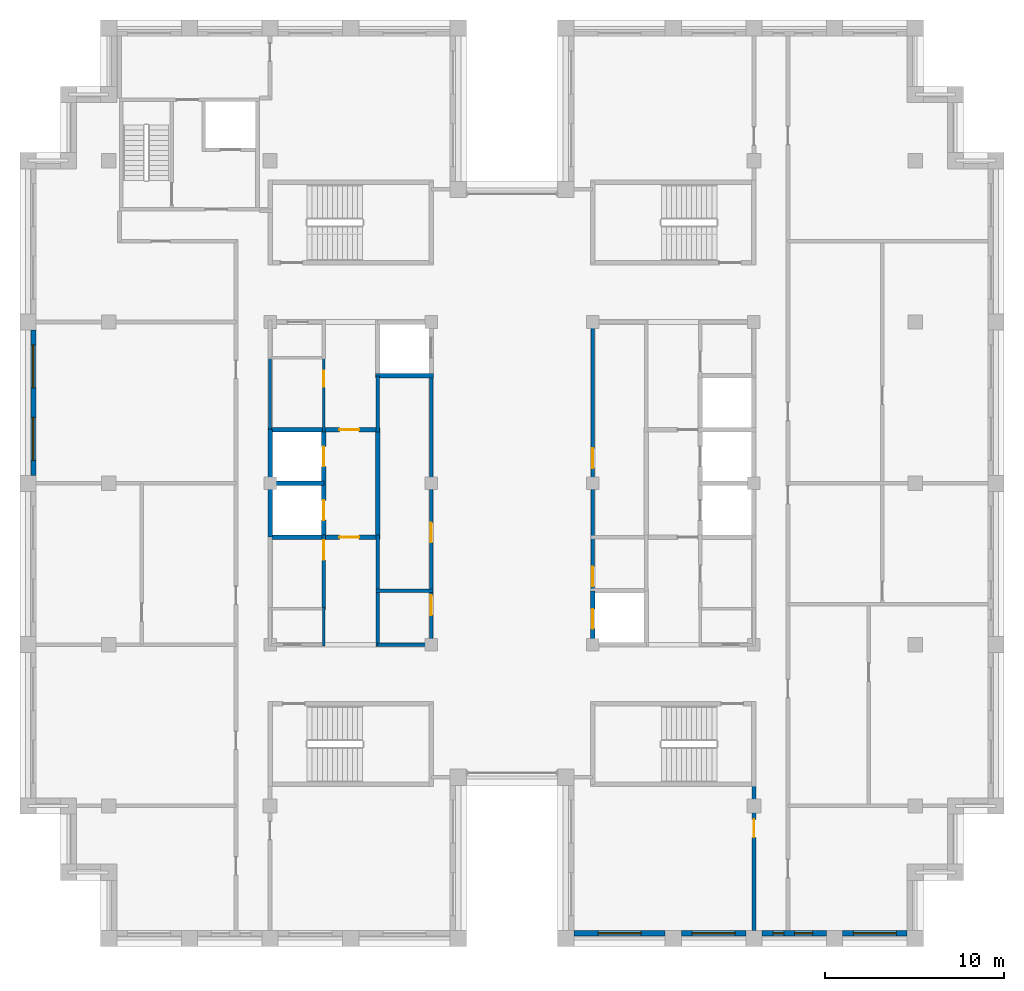
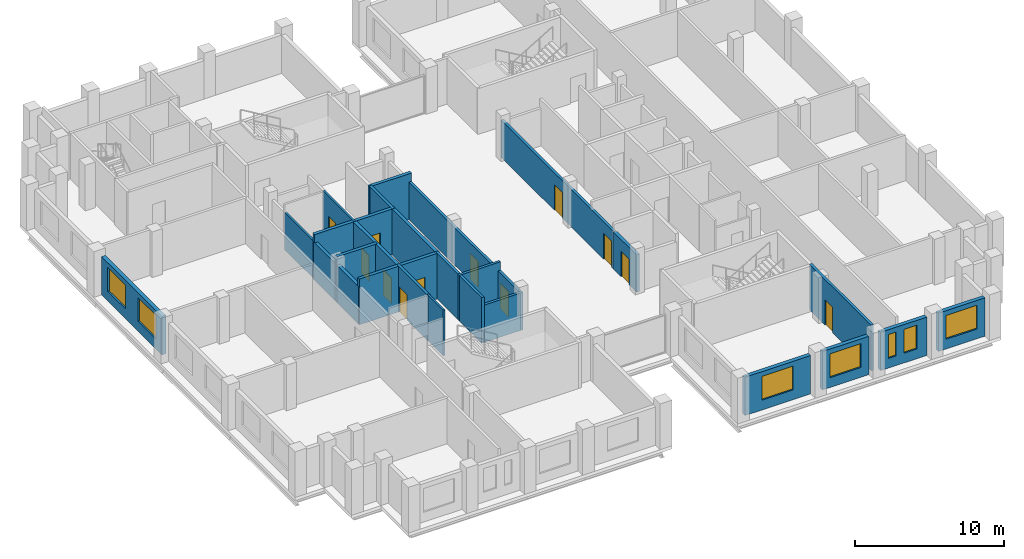
# One storey, part 7 of 13: 24 walls, 12 doors, 7 windows, 19 openings.
"""IFC4 building model written with IfcOpenShell, lengths in metres."""

from ifc_helpers import new_model, si_unit, direction, frame, frame_2d, origin, place, context, subcontext, project, spatial, rectangle, extrude, material, layer, layer_set, type_object, element, fill, save


model = new_model("IFC4")

# Units and contexts
model_context = context("Model", 3, precision=1e-05, world=origin(), true_north=direction((0.0, 1.0)))
body_context = subcontext(model_context, "Body", "Model", "MODEL_VIEW")
ifc_project = project(units=[si_unit("LENGTHUNIT", "METRE"), si_unit("AREAUNIT", "SQUARE_METRE"), si_unit("VOLUMEUNIT", "CUBIC_METRE"), si_unit("PLANEANGLEUNIT", "RADIAN"), si_unit("MASSUNIT", "GRAM", prefix="KILO")], contexts=[model_context])

# Site, building, storey
site_placement = place(None, origin())
site = spatial("IfcSite", under=ifc_project, at=site_placement, CompositionType="ELEMENT")
building_placement = place(site_placement, origin())
building = spatial("IfcBuilding", under=site, at=building_placement, Name="Corbelhall Arena Tower", CompositionType="ELEMENT")
storey_placement = place(building_placement, frame((0.0, 0.0, 330.0)))
storey = spatial("IfcBuildingStorey", under=building, at=storey_placement, Name="L72", CompositionType="ELEMENT", Elevation=330.0)

# Wall, openings, windows
ifc_material_1 = material(Name="Precast concrete C40/50 with granite facing", Category="masonry")
ifc_layer_1 = layer(ifc_material_1, 0.300048828125)
ifc_layer_set_1 = layer_set([ifc_layer_1], Name="EV-IW1 Infill panel 300")
wall_type_1 = type_object("IfcWallType", Name="EV-IW1 Infill panel 300", PredefinedType="SOLIDWALL", material=ifc_layer_set_1)
wall_1_placement = place(storey_placement, frame((-26.699951171875, 8.550048828125, 0.0), z_axis=(0.0, 0.0, 1.0), x_axis=(0.0, -1.0, 0.0)))
wall_1 = element("IfcWall", 1, at=wall_1_placement, inside=storey, type_object=wall_type_1, Name="Infill panel IW1", PredefinedType="SOLIDWALL", context=body_context, shape_type="SweptSolid", body=[
    extrude(rectangle(XDim=8.10009765625, YDim=0.300048828125, at=frame_2d((4.050048828125, 0.0))), origin(), (0.0, 0.0, 1.0), 3.139892578125),
])
opening_1_placement = place(wall_1_placement, frame((0.824951171875, 0.0, 0.800048828125)))
opening_1 = element("IfcOpeningElement", 2, at=opening_1_placement, cuts=wall_1, Name="Opening WN1", PredefinedType="OPENING", context=body_context, shape_type="SweptSolid", body=[
    extrude(rectangle(XDim=2.39990234375, YDim=1.949951171875, at=frame_2d((1.199951171875, 0.97509765625))), frame((0.0, 0.14990234375, 0.0), z_axis=(0.0, -1.0, 0.0), x_axis=(1.0, 0.0, 0.0)), (0.0, 0.0, 1.0), 0.300048828125),
])
opening_2_placement = place(wall_1_placement, frame((4.875, 0.0, 0.800048828125)))
opening_2 = element("IfcOpeningElement", 3, at=opening_2_placement, cuts=wall_1, Name="Opening WN1", PredefinedType="OPENING", context=body_context, shape_type="SweptSolid", body=[
    extrude(rectangle(XDim=2.39990234375, YDim=1.949951171875, at=frame_2d((1.199951171875, 0.97509765625))), frame((0.0, 0.14990234375, 0.0), z_axis=(0.0, -1.0, 0.0), x_axis=(1.0, 0.0, 0.0)), (0.0, 0.0, 1.0), 0.300048828125),
])
ifc_material_2 = material(Name="Aluminium black anodised", Category="aluminium")
window_type_1 = type_object("IfcWindowType", Name="EV-WN1 Office window", PartitioningType="SINGLE_PANEL", PredefinedType="WINDOW", material=ifc_material_2)
window_1_placement = place(opening_1_placement, origin())
window_1 = element("IfcWindow", 4, at=window_1_placement, inside=storey, type_object=window_type_1, Name="Window WN1", OverallHeight=1.949951171875, OverallWidth=2.39990234375, PartitioningType="SINGLE_PANEL", PredefinedType="WINDOW", context=body_context, shape_type="SweptSolid", body=[
    extrude(rectangle(XDim=2.39990234375, YDim=1.949951171875, at=frame_2d((1.199951171875, 0.97509765625))), frame((0.0, 0.030029296875, 0.0), z_axis=(0.0, -1.0, 0.0), x_axis=(1.0, 0.0, 0.0)), (0.0, 0.0, 1.0), 0.06005859375),
])
fill(opening_1, window_1)
window_2_placement = place(opening_2_placement, origin())
window_2 = element("IfcWindow", 5, at=window_2_placement, inside=storey, type_object=window_type_1, Name="Window WN1", OverallHeight=1.949951171875, OverallWidth=2.39990234375, PartitioningType="SINGLE_PANEL", PredefinedType="WINDOW", context=body_context, shape_type="SweptSolid", body=[
    extrude(rectangle(XDim=2.39990234375, YDim=1.949951171875, at=frame_2d((1.199951171875, 0.97509765625))), frame((0.0, 0.030029296875, 0.0), z_axis=(0.0, -1.0, 0.0), x_axis=(1.0, 0.0, 0.0)), (0.0, 0.0, 1.0), 0.06005859375),
])
fill(opening_2, window_2)

# Wall, opening, window
wall_2_placement = place(storey_placement, frame((3.449951171875, -25.10009765625, 0.0), z_axis=(0.0, 0.0, 1.0), x_axis=(1.0, 0.0, 0.0)))
wall_2 = element("IfcWall", 6, at=wall_2_placement, inside=storey, type_object=wall_type_1, Name="Infill panel IW1", PredefinedType="SOLIDWALL", context=body_context, shape_type="SweptSolid", body=[
    extrude(rectangle(XDim=5.10009765625, YDim=0.300048828125, at=frame_2d((2.550048828125, 0.0))), origin(), (0.0, 0.0, 1.0), 3.139892578125),
])
opening_3_placement = place(wall_2_placement, frame((1.35009765625, 0.0, 0.800048828125)))
opening_3 = element("IfcOpeningElement", 7, at=opening_3_placement, cuts=wall_2, Name="Opening WN1", PredefinedType="OPENING", context=body_context, shape_type="SweptSolid", body=[
    extrude(rectangle(XDim=2.39990234375, YDim=1.949951171875, at=frame_2d((1.199951171875, 0.97509765625))), frame((0.0, 0.14990234375, 0.0), z_axis=(0.0, -1.0, 0.0), x_axis=(1.0, 0.0, 0.0)), (0.0, 0.0, 1.0), 0.300048828125),
])
window_3_placement = place(opening_3_placement, origin())
window_3 = element("IfcWindow", 8, at=window_3_placement, inside=storey, type_object=window_type_1, Name="Window WN1", OverallHeight=1.949951171875, OverallWidth=2.39990234375, PartitioningType="SINGLE_PANEL", PredefinedType="WINDOW", context=body_context, shape_type="SweptSolid", body=[
    extrude(rectangle(XDim=2.39990234375, YDim=1.949951171875, at=frame_2d((1.199951171875, 0.97509765625))), frame((0.0, 0.030029296875, 0.0), z_axis=(0.0, -1.0, 0.0), x_axis=(1.0, 0.0, 0.0)), (0.0, 0.0, 1.0), 0.06005859375),
])
fill(opening_3, window_3)

wall_3_placement = place(storey_placement, frame((9.449951171875, -25.10009765625, 0.0), z_axis=(0.0, 0.0, 1.0), x_axis=(1.0, 0.0, 0.0)))
wall_3 = element("IfcWall", 9, at=wall_3_placement, inside=storey, type_object=wall_type_1, Name="Infill panel IW1", PredefinedType="SOLIDWALL", context=body_context, shape_type="SweptSolid", body=[
    extrude(rectangle(XDim=3.60009765625, YDim=0.300048828125, at=frame_2d((1.800048828125, 0.0))), origin(), (0.0, 0.0, 1.0), 3.139892578125),
])
opening_4_placement = place(wall_3_placement, frame((0.60009765625, 0.0, 0.800048828125)))
opening_4 = element("IfcOpeningElement", 10, at=opening_4_placement, cuts=wall_3, Name="Opening WN1", PredefinedType="OPENING", context=body_context, shape_type="SweptSolid", body=[
    extrude(rectangle(XDim=2.39990234375, YDim=1.949951171875, at=frame_2d((1.199951171875, 0.97509765625))), frame((0.0, 0.14990234375, 0.0), z_axis=(0.0, -1.0, 0.0), x_axis=(1.0, 0.0, 0.0)), (0.0, 0.0, 1.0), 0.300048828125),
])
window_4_placement = place(opening_4_placement, origin())
window_4 = element("IfcWindow", 11, at=window_4_placement, inside=storey, type_object=window_type_1, Name="Window WN1", OverallHeight=1.949951171875, OverallWidth=2.39990234375, PartitioningType="SINGLE_PANEL", PredefinedType="WINDOW", context=body_context, shape_type="SweptSolid", body=[
    extrude(rectangle(XDim=2.39990234375, YDim=1.949951171875, at=frame_2d((1.199951171875, 0.97509765625))), frame((0.0, 0.030029296875, 0.0), z_axis=(0.0, -1.0, 0.0), x_axis=(1.0, 0.0, 0.0)), (0.0, 0.0, 1.0), 0.06005859375),
])
fill(opening_4, window_4)

# Wall, openings, windows
wall_4_placement = place(storey_placement, frame((13.949951171875, -25.10009765625, 0.0), z_axis=(0.0, 0.0, 1.0), x_axis=(1.0, 0.0, 0.0)))
wall_4 = element("IfcWall", 12, at=wall_4_placement, inside=storey, type_object=wall_type_1, Name="Infill panel IW1", PredefinedType="SOLIDWALL", context=body_context, shape_type="SweptSolid", body=[
    extrude(rectangle(XDim=3.60009765625, YDim=0.300048828125, at=frame_2d((1.800048828125, 0.0))), origin(), (0.0, 0.0, 1.0), 3.139892578125),
])
opening_5_placement = place(wall_4_placement, frame((0.625, 0.0, 0.800048828125)))
opening_5 = element("IfcOpeningElement", 13, at=opening_5_placement, cuts=wall_4, Name="Opening WN5", PredefinedType="OPENING", context=body_context, shape_type="SweptSolid", body=[
    extrude(rectangle(XDim=0.60009765625, YDim=1.949951171875, at=frame_2d((0.300048828125, 0.97509765625))), frame((0.0, 0.14990234375, 0.0), z_axis=(0.0, -1.0, 0.0), x_axis=(1.0, 0.0, 0.0)), (0.0, 0.0, 1.0), 0.300048828125),
])
opening_6_placement = place(wall_4_placement, frame((1.824951171875, 0.0, 0.800048828125)))
opening_6 = element("IfcOpeningElement", 14, at=opening_6_placement, cuts=wall_4, Name="Opening WN6", PredefinedType="OPENING", context=body_context, shape_type="SweptSolid", body=[
    extrude(rectangle(XDim=1.0, YDim=1.949951171875, at=frame_2d((0.5, 0.97509765625))), frame((0.0, 0.14990234375, 0.0), z_axis=(0.0, -1.0, 0.0), x_axis=(1.0, 0.0, 0.0)), (0.0, 0.0, 1.0), 0.300048828125),
])
window_type_2 = type_object("IfcWindowType", Name="EV-WN5 Office window 600", PartitioningType="SINGLE_PANEL", PredefinedType="WINDOW", material=ifc_material_2)
window_5_placement = place(opening_5_placement, origin())
window_5 = element("IfcWindow", 15, at=window_5_placement, inside=storey, type_object=window_type_2, Name="Window WN5", OverallHeight=1.949951171875, OverallWidth=0.60009765625, PartitioningType="SINGLE_PANEL", PredefinedType="WINDOW", context=body_context, shape_type="SweptSolid", body=[
    extrude(rectangle(XDim=0.60009765625, YDim=1.949951171875, at=frame_2d((0.300048828125, 0.97509765625))), frame((0.0, 0.030029296875, 0.0), z_axis=(0.0, -1.0, 0.0), x_axis=(1.0, 0.0, 0.0)), (0.0, 0.0, 1.0), 0.06005859375),
])
fill(opening_5, window_5)
window_type_3 = type_object("IfcWindowType", Name="EV-WN6 Office window 1000", PartitioningType="SINGLE_PANEL", PredefinedType="WINDOW", material=ifc_material_2)
window_6_placement = place(opening_6_placement, origin())
window_6 = element("IfcWindow", 16, at=window_6_placement, inside=storey, type_object=window_type_3, Name="Window WN6", OverallHeight=1.949951171875, OverallWidth=1.0, PartitioningType="SINGLE_PANEL", PredefinedType="WINDOW", context=body_context, shape_type="SweptSolid", body=[
    extrude(rectangle(XDim=1.0, YDim=1.949951171875, at=frame_2d((0.5, 0.97509765625))), frame((0.0, 0.030029296875, 0.0), z_axis=(0.0, -1.0, 0.0), x_axis=(1.0, 0.0, 0.0)), (0.0, 0.0, 1.0), 0.06005859375),
])
fill(opening_6, window_6)

# Wall, opening, window
wall_5_placement = place(storey_placement, frame((18.449951171875, -25.10009765625, 0.0), z_axis=(0.0, 0.0, 1.0), x_axis=(1.0, 0.0, 0.0)))
wall_5 = element("IfcWall", 17, at=wall_5_placement, inside=storey, type_object=wall_type_1, Name="Infill panel IW1", PredefinedType="SOLIDWALL", context=body_context, shape_type="SweptSolid", body=[
    extrude(rectangle(XDim=3.60009765625, YDim=0.300048828125, at=frame_2d((1.800048828125, 0.0))), origin(), (0.0, 0.0, 1.0), 3.139892578125),
])
opening_7_placement = place(wall_5_placement, frame((0.60009765625, 0.0, 0.800048828125)))
opening_7 = element("IfcOpeningElement", 18, at=opening_7_placement, cuts=wall_5, Name="Opening WN1", PredefinedType="OPENING", context=body_context, shape_type="SweptSolid", body=[
    extrude(rectangle(XDim=2.39990234375, YDim=1.949951171875, at=frame_2d((1.199951171875, 0.97509765625))), frame((0.0, 0.14990234375, 0.0), z_axis=(0.0, -1.0, 0.0), x_axis=(1.0, 0.0, 0.0)), (0.0, 0.0, 1.0), 0.300048828125),
])
window_7_placement = place(opening_7_placement, origin())
window_7 = element("IfcWindow", 19, at=window_7_placement, inside=storey, type_object=window_type_1, Name="Window WN1", OverallHeight=1.949951171875, OverallWidth=2.39990234375, PartitioningType="SINGLE_PANEL", PredefinedType="WINDOW", context=body_context, shape_type="SweptSolid", body=[
    extrude(rectangle(XDim=2.39990234375, YDim=1.949951171875, at=frame_2d((1.199951171875, 0.97509765625))), frame((0.0, 0.030029296875, 0.0), z_axis=(0.0, -1.0, 0.0), x_axis=(1.0, 0.0, 0.0)), (0.0, 0.0, 1.0), 0.06005859375),
])
fill(opening_7, window_7)

# Wall, opening, door
ifc_material_3 = material(Name="Gypsum board on steel stud, acoustic", Category="steel")
ifc_layer_2 = layer(ifc_material_3, 0.199951171875)
ifc_layer_set_2 = layer_set([ifc_layer_2], Name="IN-W-DM200")
wall_type_2 = type_object("IfcWallType", Name="IN-W-DM200", PredefinedType="PARTITIONING", material=ifc_layer_set_2)
wall_6_placement = place(storey_placement, frame((13.5, -24.949951171875, 0.0), z_axis=(0.0, 0.0, 1.0), x_axis=(0.0, 1.0, 0.0)))
wall_6 = element("IfcWall", 20, at=wall_6_placement, inside=storey, type_object=wall_type_2, Name="Partition 018", PredefinedType="PARTITIONING", context=body_context, shape_type="SweptSolid", body=[
    extrude(rectangle(XDim=8.27490234375, YDim=0.199951171875, at=frame_2d((4.137451171875, 0.0))), origin(), (0.0, 0.0, 1.0), 3.739990234375),
])
opening_8_placement = place(wall_6_placement, frame((5.199951171875, 0.0, 0.0)))
opening_8 = element("IfcOpeningElement", 21, at=opening_8_placement, cuts=wall_6, Name="Opening 23022", PredefinedType="OPENING", context=body_context, shape_type="SweptSolid", body=[
    extrude(rectangle(XDim=1.0, YDim=2.10009765625, at=frame_2d((0.5, 1.050048828125))), frame((0.0, 0.10009765625, 0.0), z_axis=(0.0, -1.0, 0.0), x_axis=(1.0, 0.0, 0.0)), (0.0, 0.0, 1.0), 0.199951171875),
])
ifc_material_4 = material(Name="Steel door set", Category="steel")
door_type_1 = type_object("IfcDoorType", Name="IN-D-SW100", OperationType="NOTDEFINED", PredefinedType="DOOR", material=ifc_material_4)
door_1_placement = place(opening_8_placement, origin())
door_1 = element("IfcDoor", 22, at=door_1_placement, inside=storey, type_object=door_type_1, Name="Door 022", OperationType="SINGLE_SWING_LEFT", OverallHeight=2.10009765625, OverallWidth=1.0, PredefinedType="DOOR", context=body_context, shape_type="SweptSolid", body=[
    extrude(rectangle(XDim=1.0, YDim=2.10009765625, at=frame_2d((0.5, 1.050048828125))), frame((0.0, 0.02490234375, 0.0), z_axis=(0.0, -1.0, 0.0), x_axis=(1.0, 0.0, 0.0)), (0.0, 0.0, 1.0), 0.050048828125),
])
fill(opening_8, door_1)

ifc_material_5 = material(Name="Concrete block wall", Category="concrete")
ifc_layer_3 = layer(ifc_material_5, 0.199951171875)
ifc_layer_set_3 = layer_set([ifc_layer_3], Name="IN-W-RS200")
wall_type_3 = type_object("IfcWallType", Name="IN-W-RS200", PredefinedType="SOLIDWALL", material=ifc_layer_set_3)
wall_7_placement = place(storey_placement, frame((-10.5, -7.074951171875, 0.0), z_axis=(0.0, 0.0, 1.0), x_axis=(0.0, 1.0, 0.0)))
wall_7 = element("IfcWall", 23, at=wall_7_placement, inside=storey, type_object=wall_type_3, Name="Partition 030", PredefinedType="SOLIDWALL", context=body_context, shape_type="SweptSolid", body=[
    extrude(rectangle(XDim=4.199951171875, YDim=0.199951171875, at=frame_2d((2.10009765625, 0.0))), origin(), (0.0, 0.0, 1.0), 3.739990234375),
])
opening_9_placement = place(wall_7_placement, frame((2.800048828125, 0.0, 0.0)))
opening_9 = element("IfcOpeningElement", 24, at=opening_9_placement, cuts=wall_7, Name="Opening 23006", PredefinedType="OPENING", context=body_context, shape_type="SweptSolid", body=[
    extrude(rectangle(XDim=1.10009765625, YDim=2.10009765625, at=frame_2d((0.550048828125, 1.050048828125))), frame((0.0, 0.10009765625, 0.0), z_axis=(0.0, -1.0, 0.0), x_axis=(1.0, 0.0, 0.0)), (0.0, 0.0, 1.0), 0.199951171875),
])
door_type_2 = type_object("IfcDoorType", Name="IN-D-FD110", OperationType="NOTDEFINED", PredefinedType="DOOR", material=ifc_material_4)
door_2_placement = place(opening_9_placement, origin())
door_2 = element("IfcDoor", 25, at=door_2_placement, inside=storey, type_object=door_type_2, Name="Door 006", OperationType="SINGLE_SWING_LEFT", OverallHeight=2.10009765625, OverallWidth=1.10009765625, PredefinedType="DOOR", context=body_context, shape_type="SweptSolid", body=[
    extrude(rectangle(XDim=1.10009765625, YDim=2.10009765625, at=frame_2d((0.550048828125, 1.050048828125))), frame((0.0, 0.02490234375, 0.0), z_axis=(0.0, -1.0, 0.0), x_axis=(1.0, 0.0, 0.0)), (0.0, 0.0, 1.0), 0.050048828125),
])
fill(opening_9, door_2)

# Walls
wall_8_placement = place(storey_placement, frame((-7.60009765625, -6.0, 0.0), z_axis=(0.0, 0.0, 1.0), x_axis=(1.0, 0.0, 0.0)))
element("IfcWall", 26, at=wall_8_placement, inside=storey, type_object=wall_type_3, Name="Partition 032", PredefinedType="SOLIDWALL", context=body_context, shape_type="SweptSolid", body=[
    extrude(rectangle(XDim=3.2001953125, YDim=0.199951171875, at=frame_2d((1.60009765625, 0.0))), origin(), (0.0, 0.0, 1.0), 3.739990234375),
])
wall_9_placement = place(storey_placement, frame((-7.5, -9.10009765625, 0.0), z_axis=(0.0, 0.0, 1.0), x_axis=(0.0, 1.0, 0.0)))
element("IfcWall", 27, at=wall_9_placement, inside=storey, type_object=wall_type_3, Name="Partition 033", PredefinedType="SOLIDWALL", context=body_context, shape_type="SweptSolid", body=[
    extrude(rectangle(XDim=6.22509765625, YDim=0.199951171875, at=frame_2d((3.112548828125, 0.0))), origin(), (0.0, 0.0, 1.0), 3.739990234375),
])
wall_10_placement = place(storey_placement, frame((-7.5, 2.875, 0.0), z_axis=(0.0, 0.0, 1.0), x_axis=(0.0, 1.0, 0.0)))
element("IfcWall", 28, at=wall_10_placement, inside=storey, type_object=wall_type_3, Name="Partition 034", PredefinedType="SOLIDWALL", context=body_context, shape_type="SweptSolid", body=[
    extrude(rectangle(XDim=3.125, YDim=0.199951171875, at=frame_2d((1.5625, 0.0))), origin(), (0.0, 0.0, 1.0), 3.739990234375),
])
ifc_layer_4 = layer(ifc_material_5, 0.199951171875)
ifc_layer_set_4 = layer_set([ifc_layer_4], Name="IN-W-RS200 under beam 678 mm")
wall_type_4 = type_object("IfcWallType", Name="IN-W-RS200 under beam 678 mm", PredefinedType="SOLIDWALL", material=ifc_layer_set_4)
wall_11_placement = place(storey_placement, frame((-4.5, -9.0, 0.0), z_axis=(0.0, 0.0, 1.0), x_axis=(-1.0, 0.0, 0.0)))
element("IfcWall", 29, at=wall_11_placement, inside=storey, type_object=wall_type_4, Name="Partition 035", PredefinedType="SOLIDWALL", context=body_context, shape_type="SweptSolid", body=[
    extrude(rectangle(XDim=3.0, YDim=0.199951171875, at=frame_2d((1.5, 0.0))), origin(), (0.0, 0.0, 1.0), 3.061767578125),
])

# Wall, openings, doors
wall_12_placement = place(storey_placement, frame((-4.5, 6.0, 0.0), z_axis=(0.0, 0.0, 1.0), x_axis=(0.0, -1.0, 0.0)))
wall_12 = element("IfcWall", 30, at=wall_12_placement, inside=storey, type_object=wall_type_4, Name="Partition 036", PredefinedType="SOLIDWALL", context=body_context, shape_type="SweptSolid", body=[
    extrude(rectangle(XDim=15.10009765625, YDim=0.199951171875, at=frame_2d((7.550048828125, 0.0))), origin(), (0.0, 0.0, 1.0), 3.061767578125),
])
opening_10_placement = place(wall_12_placement, frame((12.25, 0.0, 0.0)))
opening_10 = element("IfcOpeningElement", 31, at=opening_10_placement, cuts=wall_12, Name="Opening 23001", PredefinedType="OPENING", context=body_context, shape_type="SweptSolid", body=[
    extrude(rectangle(XDim=1.10009765625, YDim=2.10009765625, at=frame_2d((0.550048828125, 1.050048828125))), frame((0.0, 0.10009765625, 0.0), z_axis=(0.0, -1.0, 0.0), x_axis=(1.0, 0.0, 0.0)), (0.0, 0.0, 1.0), 0.199951171875),
])
opening_11_placement = place(wall_12_placement, frame((8.199951171875, 0.0, 0.0)))
opening_11 = element("IfcOpeningElement", 32, at=opening_11_placement, cuts=wall_12, Name="Opening 23002", PredefinedType="OPENING", context=body_context, shape_type="SweptSolid", body=[
    extrude(rectangle(XDim=1.10009765625, YDim=2.10009765625, at=frame_2d((0.550048828125, 1.050048828125))), frame((0.0, 0.10009765625, 0.0), z_axis=(0.0, -1.0, 0.0), x_axis=(1.0, 0.0, 0.0)), (0.0, 0.0, 1.0), 0.199951171875),
])
door_3_placement = place(opening_10_placement, origin())
door_3 = element("IfcDoor", 33, at=door_3_placement, inside=storey, type_object=door_type_2, Name="Door 001", OperationType="SINGLE_SWING_RIGHT", OverallHeight=2.10009765625, OverallWidth=1.10009765625, PredefinedType="DOOR", context=body_context, shape_type="SweptSolid", body=[
    extrude(rectangle(XDim=1.10009765625, YDim=2.10009765625, at=frame_2d((0.550048828125, 1.050048828125))), frame((0.0, 0.02490234375, 0.0), z_axis=(0.0, -1.0, 0.0), x_axis=(1.0, 0.0, 0.0)), (0.0, 0.0, 1.0), 0.050048828125),
])
fill(opening_10, door_3)
door_4_placement = place(opening_11_placement, origin())
door_4 = element("IfcDoor", 34, at=door_4_placement, inside=storey, type_object=door_type_2, Name="Door 002", OperationType="SINGLE_SWING_LEFT", OverallHeight=2.10009765625, OverallWidth=1.10009765625, PredefinedType="DOOR", context=body_context, shape_type="SweptSolid", body=[
    extrude(rectangle(XDim=1.10009765625, YDim=2.10009765625, at=frame_2d((0.550048828125, 1.050048828125))), frame((0.0, 0.02490234375, 0.0), z_axis=(0.0, -1.0, 0.0), x_axis=(1.0, 0.0, 0.0)), (0.0, 0.0, 1.0), 0.050048828125),
])
fill(opening_11, door_4)

wall_13_placement = place(storey_placement, frame((4.5, -6.0, 0.0), z_axis=(0.0, 0.0, 1.0), x_axis=(0.0, 1.0, 0.0)))
wall_13 = element("IfcWall", 35, at=wall_13_placement, inside=storey, type_object=wall_type_4, Name="Partition 038", PredefinedType="SOLIDWALL", context=body_context, shape_type="SweptSolid", body=[
    extrude(rectangle(XDim=15.10009765625, YDim=0.199951171875, at=frame_2d((7.550048828125, 0.0))), origin(), (0.0, 0.0, 1.0), 3.061767578125),
])
opening_12_placement = place(wall_13_placement, frame((0.25, 0.0, 0.0)))
opening_12 = element("IfcOpeningElement", 36, at=opening_12_placement, cuts=wall_13, Name="Opening 23009", PredefinedType="OPENING", context=body_context, shape_type="SweptSolid", body=[
    extrude(rectangle(XDim=1.10009765625, YDim=2.10009765625, at=frame_2d((0.550048828125, 1.050048828125))), frame((0.0, 0.10009765625, 0.0), z_axis=(0.0, -1.0, 0.0), x_axis=(1.0, 0.0, 0.0)), (0.0, 0.0, 1.0), 0.199951171875),
])
opening_13_placement = place(wall_13_placement, frame((6.85009765625, 0.0, 0.0)))
opening_13 = element("IfcOpeningElement", 37, at=opening_13_placement, cuts=wall_13, Name="Opening 23010", PredefinedType="OPENING", context=body_context, shape_type="SweptSolid", body=[
    extrude(rectangle(XDim=1.10009765625, YDim=2.10009765625, at=frame_2d((0.550048828125, 1.050048828125))), frame((0.0, 0.10009765625, 0.0), z_axis=(0.0, -1.0, 0.0), x_axis=(1.0, 0.0, 0.0)), (0.0, 0.0, 1.0), 0.199951171875),
])
door_5_placement = place(opening_12_placement, origin())
door_5 = element("IfcDoor", 38, at=door_5_placement, inside=storey, type_object=door_type_2, Name="Door 009", OperationType="SINGLE_SWING_RIGHT", OverallHeight=2.10009765625, OverallWidth=1.10009765625, PredefinedType="DOOR", context=body_context, shape_type="SweptSolid", body=[
    extrude(rectangle(XDim=1.10009765625, YDim=2.10009765625, at=frame_2d((0.550048828125, 1.050048828125))), frame((0.0, 0.02490234375, 0.0), z_axis=(0.0, -1.0, 0.0), x_axis=(1.0, 0.0, 0.0)), (0.0, 0.0, 1.0), 0.050048828125),
])
fill(opening_12, door_5)
door_6_placement = place(opening_13_placement, origin())
door_6 = element("IfcDoor", 39, at=door_6_placement, inside=storey, type_object=door_type_2, Name="Door 010", OperationType="SINGLE_SWING_LEFT", OverallHeight=2.10009765625, OverallWidth=1.10009765625, PredefinedType="DOOR", context=body_context, shape_type="SweptSolid", body=[
    extrude(rectangle(XDim=1.10009765625, YDim=2.10009765625, at=frame_2d((0.550048828125, 1.050048828125))), frame((0.0, 0.02490234375, 0.0), z_axis=(0.0, -1.0, 0.0), x_axis=(1.0, 0.0, 0.0)), (0.0, 0.0, 1.0), 0.050048828125),
])
fill(opening_13, door_6)

# Wall
ifc_material_6 = material(Name="Concrete C40/50", Category="concrete")
ifc_layer_5 = layer(ifc_material_6, 0.25)
ifc_layer_set_5 = layer_set([ifc_layer_5], Name="IN-W-SH250")
wall_type_5 = type_object("IfcWallType", Name="IN-W-SH250", PredefinedType="SOLIDWALL", material=ifc_layer_set_5)
wall_14_placement = place(storey_placement, frame((-13.625, 0.0, 0.0), z_axis=(0.0, 0.0, 1.0), x_axis=(1.0, 0.0, 0.0)))
element("IfcWall", 40, at=wall_14_placement, inside=storey, type_object=wall_type_5, Name="Shaft wall 047", PredefinedType="SOLIDWALL", context=body_context, shape_type="SweptSolid", body=[
    extrude(rectangle(XDim=3.125, YDim=0.25, at=frame_2d((1.5625, 0.0))), origin(), (0.0, 0.0, 1.0), 3.739990234375),
])

# Wall, opening, door
wall_15_placement = place(storey_placement, frame((-13.625, 3.0, 0.0), z_axis=(0.0, 0.0, 1.0), x_axis=(1.0, 0.0, 0.0)))
wall_15 = element("IfcWall", 41, at=wall_15_placement, inside=storey, type_object=wall_type_5, Name="Shaft wall 048", PredefinedType="SOLIDWALL", context=body_context, shape_type="SweptSolid", body=[
    extrude(rectangle(XDim=6.125, YDim=0.25, at=frame_2d((3.0625, 0.0))), origin(), (0.0, 0.0, 1.0), 3.739990234375),
])
opening_14_placement = place(wall_15_placement, frame((4.0, 0.0, 0.0)))
opening_14 = element("IfcOpeningElement", 42, at=opening_14_placement, cuts=wall_15, Name="Opening 23004", PredefinedType="OPENING", context=body_context, shape_type="SweptSolid", body=[
    extrude(rectangle(XDim=1.10009765625, YDim=2.10009765625, at=frame_2d((0.550048828125, 1.050048828125))), frame((0.0, 0.125, 0.0), z_axis=(0.0, -1.0, 0.0), x_axis=(1.0, 0.0, 0.0)), (0.0, 0.0, 1.0), 0.25),
])
door_7_placement = place(opening_14_placement, origin())
door_7 = element("IfcDoor", 43, at=door_7_placement, inside=storey, type_object=door_type_2, Name="Door 004", OperationType="SINGLE_SWING_LEFT", OverallHeight=2.10009765625, OverallWidth=1.10009765625, PredefinedType="DOOR", context=body_context, shape_type="SweptSolid", body=[
    extrude(rectangle(XDim=1.10009765625, YDim=2.10009765625, at=frame_2d((0.550048828125, 1.050048828125))), frame((0.0, 0.02490234375, 0.0), z_axis=(0.0, -1.0, 0.0), x_axis=(1.0, 0.0, 0.0)), (0.0, 0.0, 1.0), 0.050048828125),
])
fill(opening_14, door_7)

wall_16_placement = place(storey_placement, frame((-13.625, -3.0, 0.0), z_axis=(0.0, 0.0, 1.0), x_axis=(1.0, 0.0, 0.0)))
wall_16 = element("IfcWall", 44, at=wall_16_placement, inside=storey, type_object=wall_type_5, Name="Shaft wall 050", PredefinedType="SOLIDWALL", context=body_context, shape_type="SweptSolid", body=[
    extrude(rectangle(XDim=6.125, YDim=0.25, at=frame_2d((3.0625, 0.0))), origin(), (0.0, 0.0, 1.0), 3.739990234375),
])
opening_15_placement = place(wall_16_placement, frame((4.0, 0.0, 0.0)))
opening_15 = element("IfcOpeningElement", 45, at=opening_15_placement, cuts=wall_16, Name="Opening 23003", PredefinedType="OPENING", context=body_context, shape_type="SweptSolid", body=[
    extrude(rectangle(XDim=1.10009765625, YDim=2.10009765625, at=frame_2d((0.550048828125, 1.050048828125))), frame((0.0, 0.125, 0.0), z_axis=(0.0, -1.0, 0.0), x_axis=(1.0, 0.0, 0.0)), (0.0, 0.0, 1.0), 0.25),
])
door_8_placement = place(opening_15_placement, origin())
door_8 = element("IfcDoor", 46, at=door_8_placement, inside=storey, type_object=door_type_2, Name="Door 003", OperationType="SINGLE_SWING_RIGHT", OverallHeight=2.10009765625, OverallWidth=1.10009765625, PredefinedType="DOOR", context=body_context, shape_type="SweptSolid", body=[
    extrude(rectangle(XDim=1.10009765625, YDim=2.10009765625, at=frame_2d((0.550048828125, 1.050048828125))), frame((0.0, 0.02490234375, 0.0), z_axis=(0.0, -1.0, 0.0), x_axis=(1.0, 0.0, 0.0)), (0.0, 0.0, 1.0), 0.050048828125),
])
fill(opening_15, door_8)

# Wall, openings, doors
wall_17_placement = place(storey_placement, frame((-10.5, -3.125, 0.0), z_axis=(0.0, 0.0, 1.0), x_axis=(0.0, 1.0, 0.0)))
wall_17 = element("IfcWall", 47, at=wall_17_placement, inside=storey, type_object=wall_type_5, Name="Shaft wall 051", PredefinedType="SOLIDWALL", context=body_context, shape_type="SweptSolid", body=[
    extrude(rectangle(XDim=6.25, YDim=0.25, at=frame_2d((3.125, 0.0))), origin(), (0.0, 0.0, 1.0), 3.739990234375),
])
opening_16_placement = place(wall_17_placement, frame((1.074951171875, 0.0, 0.0)))
opening_16 = element("IfcOpeningElement", 48, at=opening_16_placement, cuts=wall_17, Name="Opening LD", PredefinedType="OPENING", context=body_context, shape_type="SweptSolid", body=[
    extrude(rectangle(XDim=1.10009765625, YDim=2.10009765625, at=frame_2d((0.550048828125, 1.050048828125))), frame((0.0, 0.125, 0.0), z_axis=(0.0, -1.0, 0.0), x_axis=(1.0, 0.0, 0.0)), (0.0, 0.0, 1.0), 0.25),
])
opening_17_placement = place(wall_17_placement, frame((4.074951171875, 0.0, 0.0)))
opening_17 = element("IfcOpeningElement", 49, at=opening_17_placement, cuts=wall_17, Name="Opening LD", PredefinedType="OPENING", context=body_context, shape_type="SweptSolid", body=[
    extrude(rectangle(XDim=1.10009765625, YDim=2.10009765625, at=frame_2d((0.550048828125, 1.050048828125))), frame((0.0, 0.125, 0.0), z_axis=(0.0, -1.0, 0.0), x_axis=(1.0, 0.0, 0.0)), (0.0, 0.0, 1.0), 0.25),
])
door_type_3 = type_object("IfcDoorType", Name="IN-D-LD110", OperationType="NOTDEFINED", PredefinedType="DOOR", material=ifc_material_4)
door_9_placement = place(opening_16_placement, origin())
door_9 = element("IfcDoor", 50, at=door_9_placement, inside=storey, type_object=door_type_3, Name="Landing door W3", OperationType="SLIDING_TO_LEFT", OverallHeight=2.10009765625, OverallWidth=1.10009765625, PredefinedType="DOOR", context=body_context, shape_type="SweptSolid", body=[
    extrude(rectangle(XDim=1.10009765625, YDim=2.10009765625, at=frame_2d((0.550048828125, 1.050048828125))), frame((0.0, 0.02490234375, 0.0), z_axis=(0.0, -1.0, 0.0), x_axis=(1.0, 0.0, 0.0)), (0.0, 0.0, 1.0), 0.050048828125),
])
fill(opening_16, door_9)
door_10_placement = place(opening_17_placement, origin())
door_10 = element("IfcDoor", 51, at=door_10_placement, inside=storey, type_object=door_type_3, Name="Landing door W4", OperationType="SLIDING_TO_LEFT", OverallHeight=2.10009765625, OverallWidth=1.10009765625, PredefinedType="DOOR", context=body_context, shape_type="SweptSolid", body=[
    extrude(rectangle(XDim=1.10009765625, YDim=2.10009765625, at=frame_2d((0.550048828125, 1.050048828125))), frame((0.0, 0.02490234375, 0.0), z_axis=(0.0, -1.0, 0.0), x_axis=(1.0, 0.0, 0.0)), (0.0, 0.0, 1.0), 0.050048828125),
])
fill(opening_17, door_10)

# Walls
wall_18_placement = place(storey_placement, frame((-7.625, 6.0, 0.0), z_axis=(0.0, 0.0, 1.0), x_axis=(1.0, 0.0, 0.0)))
element("IfcWall", 52, at=wall_18_placement, inside=storey, type_object=wall_type_5, Name="Shaft wall 052", PredefinedType="SOLIDWALL", context=body_context, shape_type="SweptSolid", body=[
    extrude(rectangle(XDim=3.25, YDim=0.25, at=frame_2d((1.625, 0.0))), origin(), (0.0, 0.0, 1.0), 3.739990234375),
])
wall_19_placement = place(storey_placement, frame((-7.5, -3.125, 0.0), z_axis=(0.0, 0.0, 1.0), x_axis=(0.0, 1.0, 0.0)))
element("IfcWall", 53, at=wall_19_placement, inside=storey, type_object=wall_type_5, Name="Shaft wall 053", PredefinedType="SOLIDWALL", context=body_context, shape_type="SweptSolid", body=[
    extrude(rectangle(XDim=6.25, YDim=0.25, at=frame_2d((3.125, 0.0))), origin(), (0.0, 0.0, 1.0), 3.739990234375),
])
ifc_layer_6 = layer(ifc_material_6, 0.25)
ifc_layer_set_6 = layer_set([ifc_layer_6], Name="IN-W-SH250 under beam 678 mm")
wall_type_6 = type_object("IfcWallType", Name="IN-W-SH250 under beam 678 mm", PredefinedType="SOLIDWALL", material=ifc_layer_set_6)
wall_20_placement = place(storey_placement, frame((-13.5, -3.0, 0.0), z_axis=(0.0, 0.0, 1.0), x_axis=(0.0, 1.0, 0.0)))
element("IfcWall", 54, at=wall_20_placement, inside=storey, type_object=wall_type_6, Name="Shaft wall 049", PredefinedType="SOLIDWALL", context=body_context, shape_type="SweptSolid", body=[
    extrude(rectangle(XDim=6.0, YDim=0.25, at=frame_2d((3.0, 0.0))), origin(), (0.0, 0.0, 1.0), 3.061767578125),
])

# Wall, opening, door
wall_21_placement = place(storey_placement, frame((4.5, -9.125, 0.0), z_axis=(0.0, 0.0, 1.0), x_axis=(0.0, 1.0, 0.0)))
wall_21 = element("IfcWall", 55, at=wall_21_placement, inside=storey, type_object=wall_type_6, Name="Shaft wall 058", PredefinedType="SOLIDWALL", context=body_context, shape_type="SweptSolid", body=[
    extrude(rectangle(XDim=3.125, YDim=0.25, at=frame_2d((1.5625, 0.0))), origin(), (0.0, 0.0, 1.0), 3.061767578125),
])
opening_18_placement = place(wall_21_placement, frame((1.012451171875, 0.0, 0.0)))
opening_18 = element("IfcOpeningElement", 56, at=opening_18_placement, cuts=wall_21, Name="Opening LD", PredefinedType="OPENING", context=body_context, shape_type="SweptSolid", body=[
    extrude(rectangle(XDim=1.10009765625, YDim=2.10009765625, at=frame_2d((0.550048828125, 1.050048828125))), frame((0.0, 0.125, 0.0), z_axis=(0.0, -1.0, 0.0), x_axis=(1.0, 0.0, 0.0)), (0.0, 0.0, 1.0), 0.25),
])
door_11_placement = place(opening_18_placement, origin())
door_11 = element("IfcDoor", 57, at=door_11_placement, inside=storey, type_object=door_type_3, Name="Landing door E1", OperationType="SLIDING_TO_LEFT", OverallHeight=2.10009765625, OverallWidth=1.10009765625, PredefinedType="DOOR", context=body_context, shape_type="SweptSolid", body=[
    extrude(rectangle(XDim=1.10009765625, YDim=2.10009765625, at=frame_2d((0.550048828125, 1.050048828125))), frame((0.0, 0.02490234375, 0.0), z_axis=(0.0, -1.0, 0.0), x_axis=(1.0, 0.0, 0.0)), (0.0, 0.0, 1.0), 0.050048828125),
])
fill(opening_18, door_11)

# Wall
ifc_material_7 = material(Name="Gypsum board on steel stud, moisture resistant", Category="steel")
ifc_layer_7 = layer(ifc_material_7, 0.14990234375)
ifc_layer_set_7 = layer_set([ifc_layer_7], Name="IN-W-WC150")
wall_type_7 = type_object("IfcWallType", Name="IN-W-WC150", PredefinedType="PARTITIONING", material=ifc_layer_set_7)
wall_22_placement = place(storey_placement, frame((-10.5, -9.074951171875, 0.0), z_axis=(0.0, 0.0, 1.0), x_axis=(0.0, 1.0, 0.0)))
element("IfcWall", 58, at=wall_22_placement, inside=storey, type_object=wall_type_7, Name="Partition 088", PredefinedType="PARTITIONING", context=body_context, shape_type="SweptSolid", body=[
    extrude(rectangle(XDim=2.14990234375, YDim=0.14990234375, at=frame_2d((1.074951171875, 0.0))), origin(), (0.0, 0.0, 1.0), 3.739990234375),
])

# Wall, opening, door
wall_23_placement = place(storey_placement, frame((-10.5, 2.875, 0.0), z_axis=(0.0, 0.0, 1.0), x_axis=(0.0, 1.0, 0.0)))
wall_23 = element("IfcWall", 59, at=wall_23_placement, inside=storey, type_object=wall_type_7, Name="Partition 090", PredefinedType="PARTITIONING", context=body_context, shape_type="SweptSolid", body=[
    extrude(rectangle(XDim=4.199951171875, YDim=0.14990234375, at=frame_2d((2.10009765625, 0.0))), origin(), (0.0, 0.0, 1.0), 3.739990234375),
])
opening_19_placement = place(wall_23_placement, frame((2.5, 0.0, 0.0)))
opening_19 = element("IfcOpeningElement", 60, at=opening_19_placement, cuts=wall_23, Name="Opening 23007", PredefinedType="OPENING", context=body_context, shape_type="SweptSolid", body=[
    extrude(rectangle(XDim=0.89990234375, YDim=2.10009765625, at=frame_2d((0.449951171875, 1.050048828125))), frame((0.0, 0.074951171875, 0.0), z_axis=(0.0, -1.0, 0.0), x_axis=(1.0, 0.0, 0.0)), (0.0, 0.0, 1.0), 0.14990234375),
])
ifc_material_8 = material(Name="Timber door set", Category="wood")
door_type_4 = type_object("IfcDoorType", Name="IN-D-SW90", OperationType="NOTDEFINED", PredefinedType="DOOR", material=ifc_material_8)
door_12_placement = place(opening_19_placement, origin())
door_12 = element("IfcDoor", 61, at=door_12_placement, inside=storey, type_object=door_type_4, Name="Door 007", OperationType="SINGLE_SWING_RIGHT", OverallHeight=2.10009765625, OverallWidth=0.89990234375, PredefinedType="DOOR", context=body_context, shape_type="SweptSolid", body=[
    extrude(rectangle(XDim=0.89990234375, YDim=2.10009765625, at=frame_2d((0.449951171875, 1.050048828125))), frame((0.0, 0.02490234375, 0.0), z_axis=(0.0, -1.0, 0.0), x_axis=(1.0, 0.0, 0.0)), (0.0, 0.0, 1.0), 0.050048828125),
])
fill(opening_19, door_12)

# Wall
ifc_layer_8 = layer(ifc_material_7, 0.14990234375)
ifc_layer_set_8 = layer_set([ifc_layer_8], Name="IN-W-WC150 under beam 678 mm")
wall_type_8 = type_object("IfcWallType", Name="IN-W-WC150 under beam 678 mm", PredefinedType="PARTITIONING", material=ifc_layer_set_8)
wall_24_placement = place(storey_placement, frame((-13.5, 3.0, 0.0), z_axis=(0.0, 0.0, 1.0), x_axis=(0.0, 1.0, 0.0)))
element("IfcWall", 62, at=wall_24_placement, inside=storey, type_object=wall_type_8, Name="Partition 087", PredefinedType="PARTITIONING", context=body_context, shape_type="SweptSolid", body=[
    extrude(rectangle(XDim=4.0, YDim=0.14990234375, at=frame_2d((2.0, 0.0))), origin(), (0.0, 0.0, 1.0), 3.061767578125),
])

save(model, "model.ifc")
